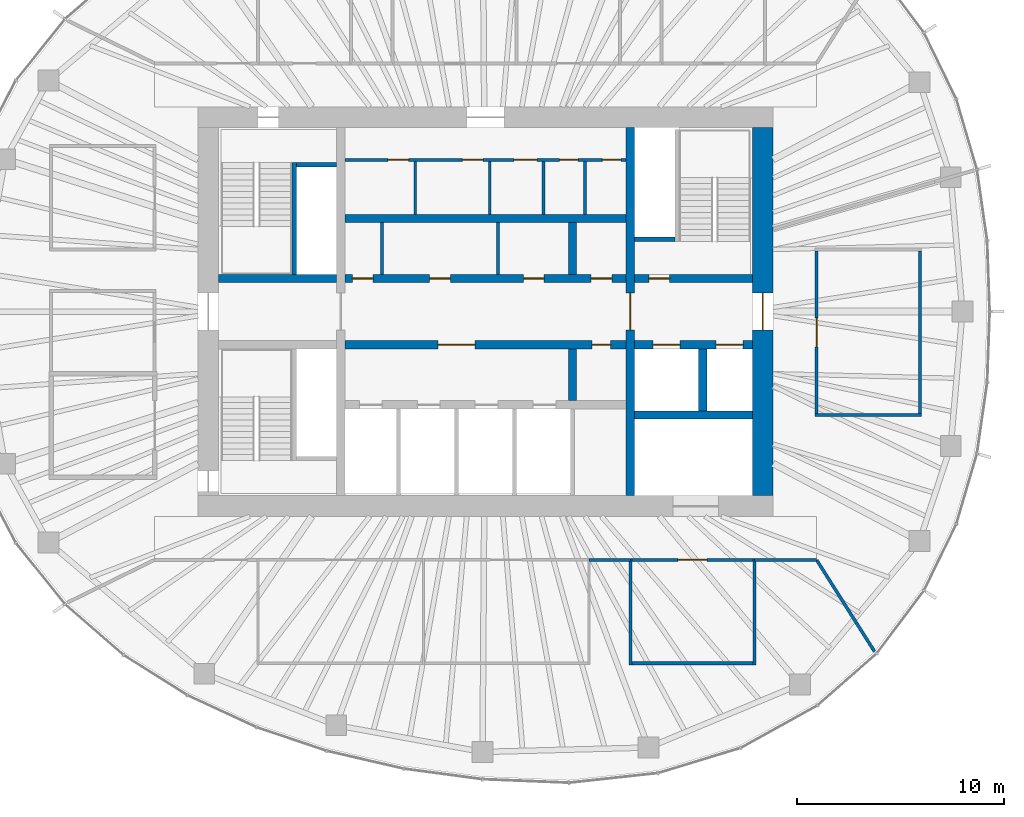
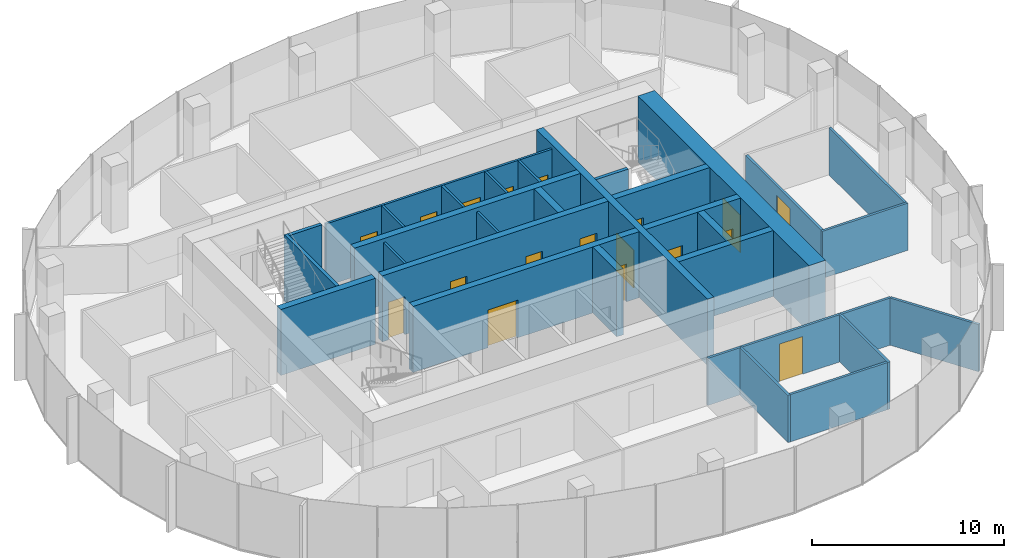
# One storey, part 9 of 11: 32 walls, 18 doors, 18 openings.
"""IFC4 building model written with IfcOpenShell, lengths in metres."""

from ifc_helpers import new_model, si_unit, direction, frame, frame_2d, origin, place, context, subcontext, project, spatial, rectangle, extrude, material, layer, layer_set, type_object, element, fill, save


model = new_model("IFC4")

# Units and contexts
model_context = context("Model", 3, precision=1e-05, world=origin(), true_north=direction((0.0, 1.0)))
body_context = subcontext(model_context, "Body", "Model", "MODEL_VIEW")
ifc_project = project(units=[si_unit("LENGTHUNIT", "METRE"), si_unit("AREAUNIT", "SQUARE_METRE"), si_unit("VOLUMEUNIT", "CUBIC_METRE"), si_unit("PLANEANGLEUNIT", "RADIAN"), si_unit("MASSUNIT", "GRAM", prefix="KILO")], contexts=[model_context])

# Site, building, storey
site_placement = place(None, origin())
site = spatial("IfcSite", under=ifc_project, at=site_placement, CompositionType="ELEMENT")
building_placement = place(site_placement, origin())
building = spatial("IfcBuilding", under=site, at=building_placement, Name="Ghaith Harvest Tower", CompositionType="ELEMENT")
storey_placement = place(building_placement, frame((0.0, 0.0, 313.199951171875)))
storey = spatial("IfcBuildingStorey", under=building, at=storey_placement, Name="L70", CompositionType="ELEMENT", Elevation=313.199951171875)

# Wall, openings, doors
ifc_material_1 = material(Name="Concrete blockwork, fair-faced", Category="masonry")
ifc_layer_1 = layer(ifc_material_1, 0.139892578125)
ifc_layer_set_1 = layer_set([ifc_layer_1], Name="CORE PARTITION 140")
wall_type_1 = type_object("IfcWallType", Name="CORE PARTITION 140", PredefinedType="PARTITIONING", material=ifc_layer_set_1)
wall_1_placement = place(storey_placement, frame((-6.800048828125, 7.330078125, 0.0), z_axis=(0.0, 0.0, 1.0), x_axis=(1.0, 0.0, 0.0)))
wall_1 = element("IfcWall", 1, at=wall_1_placement, inside=storey, type_object=wall_type_1, Name="Core partition L70", PredefinedType="PARTITIONING", context=body_context, shape_type="SweptSolid", body=[
    extrude(rectangle(XDim=13.60009765625, YDim=0.139892578125, at=frame_2d((6.800048828125, 0.0))), origin(), (0.0, 0.0, 1.0), 3.949951171875),
])
opening_1_placement = place(wall_1_placement, frame((2.080078125, 0.0, 0.0)))
opening_1 = element("IfcOpeningElement", 2, at=opening_1_placement, cuts=wall_1, Name="Opening 70-008", PredefinedType="OPENING", context=body_context, shape_type="SweptSolid", body=[
    extrude(rectangle(XDim=1.0, YDim=2.39990234375, at=frame_2d((0.5, 1.199951171875))), frame((0.0, 0.080078125, 0.0), z_axis=(0.0, -1.0, 0.0), x_axis=(1.0, 0.0, 0.0)), (0.0, 0.0, 1.0), 0.159912109375),
])
opening_2_placement = place(wall_1_placement, frame((5.679931640625, 0.0, 0.0)))
opening_2 = element("IfcOpeningElement", 3, at=opening_2_placement, cuts=wall_1, Name="Opening 70-009", PredefinedType="OPENING", context=body_context, shape_type="SweptSolid", body=[
    extrude(rectangle(XDim=1.0, YDim=2.39990234375, at=frame_2d((0.5, 1.199951171875))), frame((0.0, 0.080078125, 0.0), z_axis=(0.0, -1.0, 0.0), x_axis=(1.0, 0.0, 0.0)), (0.0, 0.0, 1.0), 0.159912109375),
])
opening_3_placement = place(wall_1_placement, frame((8.179931640625, 0.0, 0.0)))
opening_3 = element("IfcOpeningElement", 4, at=opening_3_placement, cuts=wall_1, Name="Opening 70-010", PredefinedType="OPENING", context=body_context, shape_type="SweptSolid", body=[
    extrude(rectangle(XDim=1.10009765625, YDim=2.39990234375, at=frame_2d((0.550048828125, 1.199951171875))), frame((0.0, 0.080078125, 0.0), z_axis=(0.0, -1.0, 0.0), x_axis=(1.0, 0.0, 0.0)), (0.0, 0.0, 1.0), 0.159912109375),
])
opening_4_placement = place(wall_1_placement, frame((10.3798828125, 0.0, 0.0)))
opening_4 = element("IfcOpeningElement", 5, at=opening_4_placement, cuts=wall_1, Name="Opening 70-011", PredefinedType="OPENING", context=body_context, shape_type="SweptSolid", body=[
    extrude(rectangle(XDim=0.89990234375, YDim=2.39990234375, at=frame_2d((0.449951171875, 1.199951171875))), frame((0.0, 0.080078125, 0.0), z_axis=(0.0, -1.0, 0.0), x_axis=(1.0, 0.0, 0.0)), (0.0, 0.0, 1.0), 0.159912109375),
])
opening_5_placement = place(wall_1_placement, frame((12.449951171875, 0.0, 0.0)))
opening_5 = element("IfcOpeningElement", 6, at=opening_5_placement, cuts=wall_1, Name="Opening 70-012", PredefinedType="OPENING", context=body_context, shape_type="SweptSolid", body=[
    extrude(rectangle(XDim=0.89990234375, YDim=2.39990234375, at=frame_2d((0.449951171875, 1.199951171875))), frame((0.0, 0.080078125, 0.0), z_axis=(0.0, -1.0, 0.0), x_axis=(1.0, 0.0, 0.0)), (0.0, 0.0, 1.0), 0.159912109375),
])
ifc_material_2 = material(Name="Steel fire door", Category="steel")
door_type_1 = type_object("IfcDoorType", Name="D3 FD90 1000x2400", OperationType="SINGLE_SWING_LEFT", PredefinedType="DOOR", material=ifc_material_2)
door_1_placement = place(opening_1_placement, origin())
door_1 = element("IfcDoor", 7, at=door_1_placement, inside=storey, type_object=door_type_1, Name="Male WC door", OperationType="SINGLE_SWING_LEFT", OverallHeight=2.39990234375, OverallWidth=1.0, PredefinedType="DOOR", context=body_context, shape_type="SweptSolid", body=[
    extrude(rectangle(XDim=1.0, YDim=2.39990234375, at=frame_2d((0.5, 1.199951171875))), frame((0.0, 0.02490234375, 0.0), z_axis=(0.0, -1.0, 0.0), x_axis=(1.0, 0.0, 0.0)), (0.0, 0.0, 1.0), 0.050048828125),
])
fill(opening_1, door_1)
door_2_placement = place(opening_2_placement, origin())
door_2 = element("IfcDoor", 8, at=door_2_placement, inside=storey, type_object=door_type_1, Name="Female WC door", OperationType="SINGLE_SWING_LEFT", OverallHeight=2.39990234375, OverallWidth=1.0, PredefinedType="DOOR", context=body_context, shape_type="SweptSolid", body=[
    extrude(rectangle(XDim=1.0, YDim=2.39990234375, at=frame_2d((0.5, 1.199951171875))), frame((0.0, 0.02490234375, 0.0), z_axis=(0.0, -1.0, 0.0), x_axis=(1.0, 0.0, 0.0)), (0.0, 0.0, 1.0), 0.050048828125),
])
fill(opening_2, door_2)
ifc_material_3 = material(Name="Steel fire door", Category="steel")
door_type_2 = type_object("IfcDoorType", Name="D5 FD90 900x2400", OperationType="SINGLE_SWING_LEFT", PredefinedType="DOOR", material=ifc_material_3)
door_3_placement = place(opening_4_placement, origin())
door_3 = element("IfcDoor", 9, at=door_3_placement, inside=storey, type_object=door_type_2, Name="Store door", OperationType="SINGLE_SWING_RIGHT", OverallHeight=2.39990234375, OverallWidth=0.89990234375, PredefinedType="DOOR", context=body_context, shape_type="SweptSolid", body=[
    extrude(rectangle(XDim=0.89990234375, YDim=2.39990234375, at=frame_2d((0.449951171875, 1.199951171875))), frame((0.0, 0.02490234375, 0.0), z_axis=(0.0, -1.0, 0.0), x_axis=(1.0, 0.0, 0.0)), (0.0, 0.0, 1.0), 0.050048828125),
])
fill(opening_4, door_3)
door_4_placement = place(opening_5_placement, origin())
door_4 = element("IfcDoor", 10, at=door_4_placement, inside=storey, type_object=door_type_2, Name="Cleaner's store door", OperationType="SINGLE_SWING_RIGHT", OverallHeight=2.39990234375, OverallWidth=0.89990234375, PredefinedType="DOOR", context=body_context, shape_type="SweptSolid", body=[
    extrude(rectangle(XDim=0.89990234375, YDim=2.39990234375, at=frame_2d((0.449951171875, 1.199951171875))), frame((0.0, 0.02490234375, 0.0), z_axis=(0.0, -1.0, 0.0), x_axis=(1.0, 0.0, 0.0)), (0.0, 0.0, 1.0), 0.050048828125),
])
fill(opening_5, door_4)
ifc_material_4 = material(Name="Steel fire door", Category="steel")
door_type_3 = type_object("IfcDoorType", Name="D9 FD90 1100x2400", OperationType="SINGLE_SWING_LEFT", PredefinedType="DOOR", material=ifc_material_4)
door_5_placement = place(opening_3_placement, origin())
door_5 = element("IfcDoor", 11, at=door_5_placement, inside=storey, type_object=door_type_3, Name="Accessible WC door", OperationType="SINGLE_SWING_RIGHT", OverallHeight=2.39990234375, OverallWidth=1.10009765625, PredefinedType="DOOR", context=body_context, shape_type="SweptSolid", body=[
    extrude(rectangle(XDim=1.10009765625, YDim=2.39990234375, at=frame_2d((0.550048828125, 1.199951171875))), frame((0.0, 0.02490234375, 0.0), z_axis=(0.0, -1.0, 0.0), x_axis=(1.0, 0.0, 0.0)), (0.0, 0.0, 1.0), 0.050048828125),
])
fill(opening_3, door_5)

# Walls
for number, where, z_axis, x_axis, name in (
    (12, (-3.39990234375, 4.699951171875, 0.0), (0.0, 0.0, 1.0), (0.0, 1.0, 0.0), "Core partition L70"),
    (13, (0.199951171875, 4.699951171875, 0.0), (0.0, 0.0, 1.0), (0.0, 1.0, 0.0), "Core partition L70"),
    (14, (2.800048828125, 4.699951171875, 0.0), (0.0, 0.0, 1.0), (0.0, 1.0, 0.0), "Core partition L70"),
    (15, (4.800048828125, 4.699951171875, 0.0), (0.0, 0.0, 1.0), (0.0, 1.0, 0.0), "Core partition L70"),
):
    element("IfcWall", number, at=place(storey_placement, frame(where, z_axis=z_axis, x_axis=x_axis)), inside=storey, type_object=wall_type_1, Name=name, PredefinedType="PARTITIONING", context=body_context, shape_type="SweptSolid", body=[
        extrude(rectangle(XDim=2.56005859375, YDim=0.139892578125, at=frame_2d((1.280029296875, 0.0))), origin(), (0.0, 0.0, 1.0), 3.949951171875),
    ])
for number, where, z_axis, x_axis, name in (
    (16, (-5.0, 1.800048828125, 0.0), (0.0, 0.0, 1.0), (0.0, 1.0, 0.0), "Core partition L70"),
    (17, (0.60009765625, 1.800048828125, 0.0), (0.0, 0.0, 1.0), (0.0, 1.0, 0.0), "Core partition L70"),
):
    element("IfcWall", number, at=place(storey_placement, frame(where, z_axis=z_axis, x_axis=x_axis)), inside=storey, type_object=wall_type_1, Name=name, PredefinedType="PARTITIONING", context=body_context, shape_type="SweptSolid", body=[
        extrude(rectangle(XDim=2.5, YDim=0.139892578125, at=frame_2d((1.25, 0.0))), origin(), (0.0, 0.0, 1.0), 3.949951171875),
    ])

# Wall, opening, door
ifc_material_5 = material(Name="Concrete C50/60", Category="concrete")
ifc_layer_2 = layer(ifc_material_5, 1.0)
ifc_layer_set_2 = layer_set([ifc_layer_2], Name="CORE WALL CW1000")
wall_type_2 = type_object("IfcWallType", Name="CORE WALL CW1000", PredefinedType="SHEAR", material=ifc_layer_set_2)
wall_2_placement = place(storey_placement, frame((13.39990234375, -8.89990234375, 0.0), z_axis=(0.0, 0.0, 1.0), x_axis=(0.0, 1.0, 0.0)))
wall_2 = element("IfcWall", 18, at=wall_2_placement, inside=storey, type_object=wall_type_2, Name="Core wall E L70", PredefinedType="SHEAR", context=body_context, shape_type="SweptSolid", body=[
    extrude(rectangle(XDim=17.7998046875, YDim=1.0, at=frame_2d((8.89990234375, 0.0))), origin(), (0.0, 0.0, 1.0), 4.199951171875),
])
opening_6_placement = place(wall_2_placement, frame((8.0, 0.0, 0.0)))
opening_6 = element("IfcOpeningElement", 19, at=opening_6_placement, cuts=wall_2, Name="Opening 70-002", PredefinedType="OPENING", context=body_context, shape_type="SweptSolid", body=[
    extrude(rectangle(XDim=1.800048828125, YDim=2.39990234375, at=frame_2d((0.89990234375, 1.199951171875))), frame((0.0, 0.510009765625, 0.0), z_axis=(0.0, -1.0, 0.0), x_axis=(1.0, 0.0, 0.0)), (0.0, 0.0, 1.0), 1.02001953125),
])
ifc_material_6 = material(Name="Steel fire door", Category="steel")
door_type_4 = type_object("IfcDoorType", Name="D4 FD90 PAIR 1800x2400", OperationType="DOUBLE_DOOR_SINGLE_SWING", PredefinedType="DOOR", material=ifc_material_6)
door_6_placement = place(opening_6_placement, origin())
door_6 = element("IfcDoor", 20, at=door_6_placement, inside=storey, type_object=door_type_4, Name="Fire-fighting lobby doors", OperationType="DOUBLE_DOOR_SINGLE_SWING", OverallHeight=2.39990234375, OverallWidth=1.800048828125, PredefinedType="DOOR", context=body_context, shape_type="SweptSolid", body=[
    extrude(rectangle(XDim=1.800048828125, YDim=2.39990234375, at=frame_2d((0.89990234375, 1.199951171875))), frame((0.0, 0.02490234375, 0.0), z_axis=(0.0, -1.0, 0.0), x_axis=(1.0, 0.0, 0.0)), (0.0, 0.0, 1.0), 0.050048828125),
])
fill(opening_6, door_6)

# Walls
ifc_material_7 = material(Name="Gypsum board on steel studs", Category="steel")
ifc_layer_3 = layer(ifc_material_7, 0.14990234375)
ifc_layer_set_3 = layer_set([ifc_layer_3], Name="PARTITION 150")
wall_type_3 = type_object("IfcWallType", Name="PARTITION 150", PredefinedType="PARTITIONING", material=ifc_layer_set_3)
for number, where, z_axis, x_axis, name in (
    (21, (7.0, -11.925048828125, 0.0), (0.0, 0.0, 1.0), (0.0, -1.0, 0.0), "Partition L70 row S3 cross wall 1"),
    (22, (13.0, -11.925048828125, 0.0), (0.0, 0.0, 1.0), (0.0, -1.0, 0.0), "Partition L70 row S3 cross wall 2"),
):
    element("IfcWall", number, at=place(storey_placement, frame(where, z_axis=z_axis, x_axis=x_axis)), inside=storey, type_object=wall_type_3, Name=name, PredefinedType="PARTITIONING", context=body_context, shape_type="SweptSolid", body=[
        extrude(rectangle(XDim=5.14990234375, YDim=0.14990234375, at=frame_2d((2.574951171875, 0.0))), origin(), (0.0, 0.0, 1.0), 3.0),
    ])

# Wall, opening, door
wall_3_placement = place(storey_placement, frame((7.074951171875, -12.0, 0.0), z_axis=(0.0, 0.0, 1.0), x_axis=(1.0, 0.0, 0.0)))
wall_3 = element("IfcWall", 23, at=wall_3_placement, inside=storey, type_object=wall_type_3, Name="Partition L70-05", PredefinedType="PARTITIONING", context=body_context, shape_type="SweptSolid", body=[
    extrude(rectangle(XDim=5.85009765625, YDim=0.14990234375, at=frame_2d((2.925048828125, 0.0))), origin(), (0.0, 0.0, 1.0), 3.0),
])
opening_7_placement = place(wall_3_placement, frame((2.22509765625, 0.0, 0.0)))
opening_7 = element("IfcOpeningElement", 24, at=opening_7_placement, cuts=wall_3, Name="Opening 70-031", PredefinedType="OPENING", context=body_context, shape_type="SweptSolid", body=[
    extrude(rectangle(XDim=1.39990234375, YDim=2.39990234375, at=frame_2d((0.699951171875, 1.199951171875))), frame((0.0, 0.0849609375, 0.0), z_axis=(0.0, -1.0, 0.0), x_axis=(1.0, 0.0, 0.0)), (0.0, 0.0, 1.0), 0.169921875),
])
ifc_material_8 = material(Name="Stainless steel faced door pair", Category="steel")
door_type_5 = type_object("IfcDoorType", Name="D14 HYGIENE PAIR 1400x2400", OperationType="DOUBLE_DOOR_DOUBLE_SWING", PredefinedType="DOOR", material=ifc_material_8)
door_7_placement = place(opening_7_placement, origin())
door_7 = element("IfcDoor", 25, at=door_7_placement, inside=storey, type_object=door_type_5, Name="Grading room door", OperationType="DOUBLE_DOOR_DOUBLE_SWING", OverallHeight=2.39990234375, OverallWidth=1.39990234375, PredefinedType="DOOR", context=body_context, shape_type="SweptSolid", body=[
    extrude(rectangle(XDim=1.39990234375, YDim=2.39990234375, at=frame_2d((0.699951171875, 1.199951171875))), frame((0.0, 0.02490234375, 0.0), z_axis=(0.0, -1.0, 0.0), x_axis=(1.0, 0.0, 0.0)), (0.0, 0.0, 1.0), 0.050048828125),
])
fill(opening_7, door_7)

# Walls
wall_4_placement = place(storey_placement, frame((7.074951171875, -17.0, 0.0), z_axis=(0.0, 0.0, 1.0), x_axis=(1.0, 0.0, 0.0)))
element("IfcWall", 26, at=wall_4_placement, inside=storey, type_object=wall_type_3, Name="Partition L70-05", PredefinedType="PARTITIONING", context=body_context, shape_type="SweptSolid", body=[
    extrude(rectangle(XDim=5.85009765625, YDim=0.14990234375, at=frame_2d((2.925048828125, 0.0))), origin(), (0.0, 0.0, 1.0), 3.0),
])
wall_5_placement = place(storey_placement, frame((15.925048828125, -5.0, 0.0), z_axis=(0.0, 0.0, 1.0), x_axis=(1.0, 0.0, 0.0)))
element("IfcWall", 27, at=wall_5_placement, inside=storey, type_object=wall_type_3, Name="Partition L70 row E5 cross wall 1", PredefinedType="PARTITIONING", context=body_context, shape_type="SweptSolid", body=[
    extrude(rectangle(XDim=5.14990234375, YDim=0.14990234375, at=frame_2d((2.574951171875, 0.0))), origin(), (0.0, 0.0, 1.0), 3.0),
])

# Wall, opening, door
wall_6_placement = place(storey_placement, frame((16.0, -4.925048828125, 0.0), z_axis=(0.0, 0.0, 1.0), x_axis=(0.0, 1.0, 0.0)))
wall_6 = element("IfcWall", 28, at=wall_6_placement, inside=storey, type_object=wall_type_3, Name="Partition L70-08", PredefinedType="PARTITIONING", context=body_context, shape_type="SweptSolid", body=[
    extrude(rectangle(XDim=7.85009765625, YDim=0.14990234375, at=frame_2d((3.925048828125, 0.0))), origin(), (0.0, 0.0, 1.0), 3.0),
])
opening_8_placement = place(wall_6_placement, frame((3.22509765625, 0.0, 0.0)))
opening_8 = element("IfcOpeningElement", 29, at=opening_8_placement, cuts=wall_6, Name="Opening 70-034", PredefinedType="OPENING", context=body_context, shape_type="SweptSolid", body=[
    extrude(rectangle(XDim=1.39990234375, YDim=2.39990234375, at=frame_2d((0.699951171875, 1.199951171875))), frame((0.0, 0.0849609375, 0.0), z_axis=(0.0, -1.0, 0.0), x_axis=(1.0, 0.0, 0.0)), (0.0, 0.0, 1.0), 0.169921875),
])
door_8_placement = place(opening_8_placement, origin())
door_8 = element("IfcDoor", 30, at=door_8_placement, inside=storey, type_object=door_type_5, Name="Packing room door", OperationType="DOUBLE_DOOR_DOUBLE_SWING", OverallHeight=2.39990234375, OverallWidth=1.39990234375, PredefinedType="DOOR", context=body_context, shape_type="SweptSolid", body=[
    extrude(rectangle(XDim=1.39990234375, YDim=2.39990234375, at=frame_2d((0.699951171875, 1.199951171875))), frame((0.0, 0.02490234375, 0.0), z_axis=(0.0, -1.0, 0.0), x_axis=(1.0, 0.0, 0.0)), (0.0, 0.0, 1.0), 0.050048828125),
])
fill(opening_8, door_8)

# Walls
wall_7_placement = place(storey_placement, frame((21.0, -4.925048828125, 0.0), z_axis=(0.0, 0.0, 1.0), x_axis=(0.0, 1.0, 0.0)))
element("IfcWall", 31, at=wall_7_placement, inside=storey, type_object=wall_type_3, Name="Partition L70-08", PredefinedType="PARTITIONING", context=body_context, shape_type="SweptSolid", body=[
    extrude(rectangle(XDim=7.85009765625, YDim=0.14990234375, at=frame_2d((3.925048828125, 0.0))), origin(), (0.0, 0.0, 1.0), 3.0),
])
wall_8_placement = place(storey_placement, frame((16.0107421875, -12.016845703125, 0.0), z_axis=(0.0, 0.0, 1.0), x_axis=(0.53415837449, -0.845384427916, 0.0)))
element("IfcWall", 32, at=wall_8_placement, inside=storey, type_object=wall_type_3, Name="Partition L70 zone division", PredefinedType="PARTITIONING", context=body_context, shape_type="SweptSolid", body=[
    extrude(rectangle(XDim=5.220458984375, YDim=0.14990234375, at=frame_2d((2.6103515625, 0.0))), origin(), (0.0, 0.0, 1.0), 3.0),
])
wall_9_placement = place(storey_placement, frame((5.0, -12.0, 0.0), z_axis=(0.0, 0.0, 1.0), x_axis=(1.0, 0.0, 0.0)))
element("IfcWall", 33, at=wall_9_placement, inside=storey, type_object=wall_type_3, Name="Partition L70 zone enclosure", PredefinedType="PARTITIONING", context=body_context, shape_type="SweptSolid", body=[
    extrude(rectangle(XDim=2.0, YDim=0.14990234375, at=frame_2d((1.0, 0.0))), origin(), (0.0, 0.0, 1.0), 3.0),
])
wall_10_placement = place(storey_placement, frame((13.0, -12.0, 0.0), z_axis=(0.0, 0.0, 1.0), x_axis=(1.0, 0.0, 0.0)))
element("IfcWall", 34, at=wall_10_placement, inside=storey, type_object=wall_type_3, Name="Partition L70 zone enclosure", PredefinedType="PARTITIONING", context=body_context, shape_type="SweptSolid", body=[
    extrude(rectangle(XDim=3.0, YDim=0.14990234375, at=frame_2d((1.5, 0.0))), origin(), (0.0, 0.0, 1.0), 3.0),
])

# Wall, opening, door
ifc_material_9 = material(Name="Concrete C70/85", Category="concrete")
ifc_layer_4 = layer(ifc_material_9, 0.39990234375)
ifc_layer_set_4 = layer_set([ifc_layer_4], Name="SHAFT WALL 400")
wall_type_4 = type_object("IfcWallType", Name="SHAFT WALL 400", PredefinedType="SHEAR", material=ifc_layer_set_4)
wall_11_placement = place(storey_placement, frame((7.0, -8.89990234375, 0.0), z_axis=(0.0, 0.0, 1.0), x_axis=(0.0, 1.0, 0.0)))
wall_11 = element("IfcWall", 35, at=wall_11_placement, inside=storey, type_object=wall_type_4, Name="Shaft wall W7E L70", PredefinedType="SHEAR", context=body_context, shape_type="SweptSolid", body=[
    extrude(rectangle(XDim=17.7998046875, YDim=0.39990234375, at=frame_2d((8.89990234375, 0.0))), origin(), (0.0, 0.0, 1.0), 4.199951171875),
])
opening_9_placement = place(wall_11_placement, frame((8.0, 0.0, 0.0)))
opening_9 = element("IfcOpeningElement", 36, at=opening_9_placement, cuts=wall_11, Name="Opening 70-004", PredefinedType="OPENING", context=body_context, shape_type="SweptSolid", body=[
    extrude(rectangle(XDim=1.800048828125, YDim=2.39990234375, at=frame_2d((0.89990234375, 1.199951171875))), frame((0.0, 0.2099609375, 0.0), z_axis=(0.0, -1.0, 0.0), x_axis=(1.0, 0.0, 0.0)), (0.0, 0.0, 1.0), 0.419921875),
])
door_9_placement = place(opening_9_placement, origin())
door_9 = element("IfcDoor", 37, at=door_9_placement, inside=storey, type_object=door_type_4, Name="Lift lobby doors, east", OperationType="DOUBLE_DOOR_SINGLE_SWING", OverallHeight=2.39990234375, OverallWidth=1.800048828125, PredefinedType="DOOR", context=body_context, shape_type="SweptSolid", body=[
    extrude(rectangle(XDim=1.800048828125, YDim=2.39990234375, at=frame_2d((0.89990234375, 1.199951171875))), frame((0.0, 0.02490234375, 0.0), z_axis=(0.0, -1.0, 0.0), x_axis=(1.0, 0.0, 0.0)), (0.0, 0.0, 1.0), 0.050048828125),
])
fill(opening_9, door_9)

# Wall, openings, doors
wall_12_placement = place(storey_placement, frame((-6.800048828125, 1.60009765625, 0.0), z_axis=(0.0, 0.0, 1.0), x_axis=(1.0, 0.0, 0.0)))
wall_12 = element("IfcWall", 38, at=wall_12_placement, inside=storey, type_object=wall_type_4, Name="Shaft wall LN L70", PredefinedType="SHEAR", context=body_context, shape_type="SweptSolid", body=[
    extrude(rectangle(XDim=13.60009765625, YDim=0.39990234375, at=frame_2d((6.800048828125, 0.0))), origin(), (0.0, 0.0, 1.0), 4.199951171875),
])
opening_10_placement = place(wall_12_placement, frame((0.364990234375, 0.0, 0.0)))
opening_10 = element("IfcOpeningElement", 39, at=opening_10_placement, cuts=wall_12, Name="Opening 70-013", PredefinedType="OPENING", context=body_context, shape_type="SweptSolid", body=[
    extrude(rectangle(XDim=1.0, YDim=2.39990234375, at=frame_2d((0.5, 1.199951171875))), frame((0.0, 0.2099609375, 0.0), z_axis=(0.0, -1.0, 0.0), x_axis=(1.0, 0.0, 0.0)), (0.0, 0.0, 1.0), 0.419921875),
])
opening_11_placement = place(wall_12_placement, frame((4.10009765625, 0.0, 0.0)))
opening_11 = element("IfcOpeningElement", 40, at=opening_11_placement, cuts=wall_12, Name="Opening 70-014", PredefinedType="OPENING", context=body_context, shape_type="SweptSolid", body=[
    extrude(rectangle(XDim=1.0, YDim=2.39990234375, at=frame_2d((0.5, 1.199951171875))), frame((0.0, 0.2099609375, 0.0), z_axis=(0.0, -1.0, 0.0), x_axis=(1.0, 0.0, 0.0)), (0.0, 0.0, 1.0), 0.419921875),
])
opening_12_placement = place(wall_12_placement, frame((8.635009765625, 0.0, 0.0)))
opening_12 = element("IfcOpeningElement", 41, at=opening_12_placement, cuts=wall_12, Name="Opening 70-015", PredefinedType="OPENING", context=body_context, shape_type="SweptSolid", body=[
    extrude(rectangle(XDim=1.0, YDim=2.39990234375, at=frame_2d((0.5, 1.199951171875))), frame((0.0, 0.2099609375, 0.0), z_axis=(0.0, -1.0, 0.0), x_axis=(1.0, 0.0, 0.0)), (0.0, 0.0, 1.0), 0.419921875),
])
opening_13_placement = place(wall_12_placement, frame((11.89990234375, 0.0, 0.0)))
opening_13 = element("IfcOpeningElement", 42, at=opening_13_placement, cuts=wall_12, Name="Opening 70-016", PredefinedType="OPENING", context=body_context, shape_type="SweptSolid", body=[
    extrude(rectangle(XDim=1.0, YDim=2.39990234375, at=frame_2d((0.5, 1.199951171875))), frame((0.0, 0.2099609375, 0.0), z_axis=(0.0, -1.0, 0.0), x_axis=(1.0, 0.0, 0.0)), (0.0, 0.0, 1.0), 0.419921875),
])
door_10_placement = place(opening_10_placement, origin())
door_10 = element("IfcDoor", 43, at=door_10_placement, inside=storey, type_object=door_type_1, Name="Electrical room door", OperationType="SINGLE_SWING_LEFT", OverallHeight=2.39990234375, OverallWidth=1.0, PredefinedType="DOOR", context=body_context, shape_type="SweptSolid", body=[
    extrude(rectangle(XDim=1.0, YDim=2.39990234375, at=frame_2d((0.5, 1.199951171875))), frame((0.0, 0.02490234375, 0.0), z_axis=(0.0, -1.0, 0.0), x_axis=(1.0, 0.0, 0.0)), (0.0, 0.0, 1.0), 0.050048828125),
])
fill(opening_10, door_10)
door_11_placement = place(opening_11_placement, origin())
door_11 = element("IfcDoor", 44, at=door_11_placement, inside=storey, type_object=door_type_1, Name="Security room door", OperationType="SINGLE_SWING_LEFT", OverallHeight=2.39990234375, OverallWidth=1.0, PredefinedType="DOOR", context=body_context, shape_type="SweptSolid", body=[
    extrude(rectangle(XDim=1.0, YDim=2.39990234375, at=frame_2d((0.5, 1.199951171875))), frame((0.0, 0.02490234375, 0.0), z_axis=(0.0, -1.0, 0.0), x_axis=(1.0, 0.0, 0.0)), (0.0, 0.0, 1.0), 0.050048828125),
])
fill(opening_11, door_11)
door_12_placement = place(opening_12_placement, origin())
door_12 = element("IfcDoor", 45, at=door_12_placement, inside=storey, type_object=door_type_1, Name="Communications equipment room door", OperationType="SINGLE_SWING_RIGHT", OverallHeight=2.39990234375, OverallWidth=1.0, PredefinedType="DOOR", context=body_context, shape_type="SweptSolid", body=[
    extrude(rectangle(XDim=1.0, YDim=2.39990234375, at=frame_2d((0.5, 1.199951171875))), frame((0.0, 0.02490234375, 0.0), z_axis=(0.0, -1.0, 0.0), x_axis=(1.0, 0.0, 0.0)), (0.0, 0.0, 1.0), 0.050048828125),
])
fill(opening_12, door_12)
door_13_placement = place(opening_13_placement, origin())
door_13 = element("IfcDoor", 46, at=door_13_placement, inside=storey, type_object=door_type_1, Name="Tea point door", OperationType="SINGLE_SWING_RIGHT", OverallHeight=2.39990234375, OverallWidth=1.0, PredefinedType="DOOR", context=body_context, shape_type="SweptSolid", body=[
    extrude(rectangle(XDim=1.0, YDim=2.39990234375, at=frame_2d((0.5, 1.199951171875))), frame((0.0, 0.02490234375, 0.0), z_axis=(0.0, -1.0, 0.0), x_axis=(1.0, 0.0, 0.0)), (0.0, 0.0, 1.0), 0.050048828125),
])
fill(opening_13, door_13)

wall_13_placement = place(storey_placement, frame((-6.800048828125, -1.60009765625, 0.0), z_axis=(0.0, 0.0, 1.0), x_axis=(1.0, 0.0, 0.0)))
wall_13 = element("IfcWall", 47, at=wall_13_placement, inside=storey, type_object=wall_type_4, Name="Shaft wall LS L70", PredefinedType="SHEAR", context=body_context, shape_type="SweptSolid", body=[
    extrude(rectangle(XDim=13.60009765625, YDim=0.39990234375, at=frame_2d((6.800048828125, 0.0))), origin(), (0.0, 0.0, 1.0), 4.199951171875),
])
opening_14_placement = place(wall_13_placement, frame((11.949951171875, 0.0, 0.0)))
opening_14 = element("IfcOpeningElement", 48, at=opening_14_placement, cuts=wall_13, Name="Opening 70-017", PredefinedType="OPENING", context=body_context, shape_type="SweptSolid", body=[
    extrude(rectangle(XDim=0.89990234375, YDim=2.39990234375, at=frame_2d((0.449951171875, 1.199951171875))), frame((0.0, 0.2099609375, 0.0), z_axis=(0.0, -1.0, 0.0), x_axis=(1.0, 0.0, 0.0)), (0.0, 0.0, 1.0), 0.419921875),
])
opening_15_placement = place(wall_13_placement, frame((4.5, 0.0, 0.0)))
opening_15 = element("IfcOpeningElement", 49, at=opening_15_placement, cuts=wall_13, Name="Opening 70-018", PredefinedType="OPENING", context=body_context, shape_type="SweptSolid", body=[
    extrude(rectangle(XDim=1.800048828125, YDim=2.39990234375, at=frame_2d((0.89990234375, 1.199951171875))), frame((0.0, 0.2099609375, 0.0), z_axis=(0.0, -1.0, 0.0), x_axis=(1.0, 0.0, 0.0)), (0.0, 0.0, 1.0), 0.419921875),
])
door_14_placement = place(opening_15_placement, origin())
door_14 = element("IfcDoor", 50, at=door_14_placement, inside=storey, type_object=door_type_4, Name="Lift lobby doors, upper-zone bank", OperationType="DOUBLE_DOOR_SINGLE_SWING", OverallHeight=2.39990234375, OverallWidth=1.800048828125, PredefinedType="DOOR", context=body_context, shape_type="SweptSolid", body=[
    extrude(rectangle(XDim=1.800048828125, YDim=2.39990234375, at=frame_2d((0.89990234375, 1.199951171875))), frame((0.0, 0.02490234375, 0.0), z_axis=(0.0, -1.0, 0.0), x_axis=(1.0, 0.0, 0.0)), (0.0, 0.0, 1.0), 0.050048828125),
])
fill(opening_15, door_14)
door_15_placement = place(opening_14_placement, origin())
door_15 = element("IfcDoor", 51, at=door_15_placement, inside=storey, type_object=door_type_2, Name="Lobby store door", OperationType="SINGLE_SWING_RIGHT", OverallHeight=2.39990234375, OverallWidth=0.89990234375, PredefinedType="DOOR", context=body_context, shape_type="SweptSolid", body=[
    extrude(rectangle(XDim=0.89990234375, YDim=2.39990234375, at=frame_2d((0.449951171875, 1.199951171875))), frame((0.0, 0.02490234375, 0.0), z_axis=(0.0, -1.0, 0.0), x_axis=(1.0, 0.0, 0.0)), (0.0, 0.0, 1.0), 0.050048828125),
])
fill(opening_14, door_15)

# Walls
wall_14_placement = place(storey_placement, frame((-6.800048828125, 4.5, 0.0), z_axis=(0.0, 0.0, 1.0), x_axis=(1.0, 0.0, 0.0)))
element("IfcWall", 52, at=wall_14_placement, inside=storey, type_object=wall_type_4, Name="Shaft wall BN L70", PredefinedType="SHEAR", context=body_context, shape_type="SweptSolid", body=[
    extrude(rectangle(XDim=13.60009765625, YDim=0.39990234375, at=frame_2d((6.800048828125, 0.0))), origin(), (0.0, 0.0, 1.0), 4.199951171875),
])
wall_15_placement = place(storey_placement, frame((-12.89990234375, 1.60009765625, 0.0), z_axis=(0.0, 0.0, 1.0), x_axis=(1.0, 0.0, 0.0)))
element("IfcWall", 53, at=wall_15_placement, inside=storey, type_object=wall_type_4, Name="Shaft wall WN L70", PredefinedType="SHEAR", context=body_context, shape_type="SweptSolid", body=[
    extrude(rectangle(XDim=5.699951171875, YDim=0.39990234375, at=frame_2d((2.85009765625, 0.0))), origin(), (0.0, 0.0, 1.0), 4.199951171875),
])

# Wall, opening, door
wall_16_placement = place(storey_placement, frame((7.199951171875, 1.60009765625, 0.0), z_axis=(0.0, 0.0, 1.0), x_axis=(1.0, 0.0, 0.0)))
wall_16 = element("IfcWall", 54, at=wall_16_placement, inside=storey, type_object=wall_type_4, Name="Shaft wall EN L70", PredefinedType="SHEAR", context=body_context, shape_type="SweptSolid", body=[
    extrude(rectangle(XDim=5.699951171875, YDim=0.39990234375, at=frame_2d((2.85009765625, 0.0))), origin(), (0.0, 0.0, 1.0), 4.199951171875),
])
opening_16_placement = place(wall_16_placement, frame((0.699951171875, 0.0, 0.0)))
opening_16 = element("IfcOpeningElement", 55, at=opening_16_placement, cuts=wall_16, Name="Opening 70-007", PredefinedType="OPENING", context=body_context, shape_type="SweptSolid", body=[
    extrude(rectangle(XDim=1.0, YDim=2.39990234375, at=frame_2d((0.5, 1.199951171875))), frame((0.0, 0.2099609375, 0.0), z_axis=(0.0, -1.0, 0.0), x_axis=(1.0, 0.0, 0.0)), (0.0, 0.0, 1.0), 0.419921875),
])
door_16_placement = place(opening_16_placement, origin())
door_16 = element("IfcDoor", 56, at=door_16_placement, inside=storey, type_object=door_type_1, Name="Stair ST2 door", OperationType="SINGLE_SWING_LEFT", OverallHeight=2.39990234375, OverallWidth=1.0, PredefinedType="DOOR", context=body_context, shape_type="SweptSolid", body=[
    extrude(rectangle(XDim=1.0, YDim=2.39990234375, at=frame_2d((0.5, 1.199951171875))), frame((0.0, 0.02490234375, 0.0), z_axis=(0.0, -1.0, 0.0), x_axis=(1.0, 0.0, 0.0)), (0.0, 0.0, 1.0), 0.050048828125),
])
fill(opening_16, door_16)

# Wall, openings, doors
wall_17_placement = place(storey_placement, frame((7.199951171875, -1.60009765625, 0.0), z_axis=(0.0, 0.0, 1.0), x_axis=(1.0, 0.0, 0.0)))
wall_17 = element("IfcWall", 57, at=wall_17_placement, inside=storey, type_object=wall_type_4, Name="Shaft wall ES L70", PredefinedType="SHEAR", context=body_context, shape_type="SweptSolid", body=[
    extrude(rectangle(XDim=5.699951171875, YDim=0.39990234375, at=frame_2d((2.85009765625, 0.0))), origin(), (0.0, 0.0, 1.0), 4.199951171875),
])
opening_17_placement = place(wall_17_placement, frame((0.89990234375, 0.0, 0.0)))
opening_17 = element("IfcOpeningElement", 58, at=opening_17_placement, cuts=wall_17, Name="Opening 70-024", PredefinedType="OPENING", context=body_context, shape_type="SweptSolid", body=[
    extrude(rectangle(XDim=1.300048828125, YDim=2.39990234375, at=frame_2d((0.64990234375, 1.199951171875))), frame((0.0, 0.2099609375, 0.0), z_axis=(0.0, -1.0, 0.0), x_axis=(1.0, 0.0, 0.0)), (0.0, 0.0, 1.0), 0.419921875),
])
opening_18_placement = place(wall_17_placement, frame((3.949951171875, 0.0, 0.0)))
opening_18 = element("IfcOpeningElement", 59, at=opening_18_placement, cuts=wall_17, Name="Opening 70-025", PredefinedType="OPENING", context=body_context, shape_type="SweptSolid", body=[
    extrude(rectangle(XDim=1.300048828125, YDim=2.39990234375, at=frame_2d((0.64990234375, 1.199951171875))), frame((0.0, 0.2099609375, 0.0), z_axis=(0.0, -1.0, 0.0), x_axis=(1.0, 0.0, 0.0)), (0.0, 0.0, 1.0), 0.419921875),
])
ifc_material_10 = material(Name="Steel fire door", Category="steel")
door_type_6 = type_object("IfcDoorType", Name="LD2 LANDING 1300x2400", OperationType="DOUBLE_DOOR_SLIDING", PredefinedType="DOOR", material=ifc_material_10)
door_17_placement = place(opening_17_placement, origin())
door_17 = element("IfcDoor", 60, at=door_17_placement, inside=storey, type_object=door_type_6, Name="Landing door, fire service lift FL1", OperationType="DOUBLE_DOOR_SLIDING", OverallHeight=2.39990234375, OverallWidth=1.300048828125, PredefinedType="DOOR", context=body_context, shape_type="SweptSolid", body=[
    extrude(rectangle(XDim=1.300048828125, YDim=2.39990234375, at=frame_2d((0.64990234375, 1.199951171875))), frame((0.0, 0.02490234375, 0.0), z_axis=(0.0, -1.0, 0.0), x_axis=(1.0, 0.0, 0.0)), (0.0, 0.0, 1.0), 0.050048828125),
])
fill(opening_17, door_17)
door_18_placement = place(opening_18_placement, origin())
door_18 = element("IfcDoor", 61, at=door_18_placement, inside=storey, type_object=door_type_6, Name="Landing door, fire service lift FL2", OperationType="DOUBLE_DOOR_SLIDING", OverallHeight=2.39990234375, OverallWidth=1.300048828125, PredefinedType="DOOR", context=body_context, shape_type="SweptSolid", body=[
    extrude(rectangle(XDim=1.300048828125, YDim=2.39990234375, at=frame_2d((0.64990234375, 1.199951171875))), frame((0.0, 0.02490234375, 0.0), z_axis=(0.0, -1.0, 0.0), x_axis=(1.0, 0.0, 0.0)), (0.0, 0.0, 1.0), 0.050048828125),
])
fill(opening_18, door_18)

# Walls
wall_18_placement = place(storey_placement, frame((10.5, -4.800048828125, 0.0), z_axis=(0.0, 0.0, 1.0), x_axis=(0.0, 1.0, 0.0)))
element("IfcWall", 62, at=wall_18_placement, inside=storey, type_object=wall_type_4, Name="Shaft wall FLD L70", PredefinedType="SHEAR", context=body_context, shape_type="SweptSolid", body=[
    extrude(rectangle(XDim=3.0, YDim=0.39990234375, at=frame_2d((1.5, 0.0))), origin(), (0.0, 0.0, 1.0), 4.199951171875),
])
wall_19_placement = place(storey_placement, frame((7.199951171875, -5.0, 0.0), z_axis=(0.0, 0.0, 1.0), x_axis=(1.0, 0.0, 0.0)))
element("IfcWall", 63, at=wall_19_placement, inside=storey, type_object=wall_type_4, Name="Shaft wall FLB L70", PredefinedType="SHEAR", context=body_context, shape_type="SweptSolid", body=[
    extrude(rectangle(XDim=5.699951171875, YDim=0.39990234375, at=frame_2d((2.85009765625, 0.0))), origin(), (0.0, 0.0, 1.0), 4.199951171875),
])
for number, where, z_axis, x_axis, name in (
    (64, (4.199951171875, 1.800048828125, 0.0), (0.0, 0.0, 1.0), (0.0, 1.0, 0.0), "Shaft wall DN4 L70"),
    (65, (4.199951171875, -4.300048828125, 0.0), (0.0, 0.0, 1.0), (0.0, 1.0, 0.0), "Shaft wall DS4 L70"),
):
    element("IfcWall", number, at=place(storey_placement, frame(where, z_axis=z_axis, x_axis=x_axis)), inside=storey, type_object=wall_type_4, Name=name, PredefinedType="SHEAR", context=body_context, shape_type="SweptSolid", body=[
        extrude(rectangle(XDim=2.5, YDim=0.39990234375, at=frame_2d((1.25, 0.0))), origin(), (0.0, 0.0, 1.0), 4.199951171875),
    ])
ifc_material_11 = material(Name="Concrete C40/50", Category="concrete")
ifc_layer_5 = layer(ifc_material_11, 0.199951171875)
ifc_layer_set_5 = layer_set([ifc_layer_5], Name="STAIR SPINE WALL RC200")
wall_type_5 = type_object("IfcWallType", Name="STAIR SPINE WALL RC200", PredefinedType="SOLIDWALL", material=ifc_layer_set_5)
wall_20_placement = place(storey_placement, frame((-9.25, 7.199951171875, 0.0), z_axis=(0.0, 0.0, 1.0), x_axis=(0.0, -1.0, 0.0)))
element("IfcWall", 66, at=wall_20_placement, inside=storey, type_object=wall_type_5, Name="Stair ST1 spine wall L70", PredefinedType="SOLIDWALL", context=body_context, shape_type="SweptSolid", body=[
    extrude(rectangle(XDim=5.39990234375, YDim=0.199951171875, at=frame_2d((2.699951171875, 0.0))), origin(), (0.0, 0.0, 1.0), 4.199951171875),
])
for number, where, z_axis, x_axis, name in (
    (67, (-9.14990234375, 7.10009765625, 0.0), (0.0, 0.0, 1.0), (1.0, 0.0, 0.0), "Stair ST1 spine wall return L70"),
    (68, (9.14990234375, 3.5, 0.0), (0.0, 0.0, 1.0), (-1.0, 0.0, 0.0), "Stair ST2 spine wall return L70"),
):
    element("IfcWall", number, at=place(storey_placement, frame(where, z_axis=z_axis, x_axis=x_axis)), inside=storey, type_object=wall_type_5, Name=name, PredefinedType="SOLIDWALL", context=body_context, shape_type="SweptSolid", body=[
        extrude(rectangle(XDim=1.949951171875, YDim=0.199951171875, at=frame_2d((0.97509765625, 0.0))), origin(), (0.0, 0.0, 1.0), 4.199951171875),
    ])

save(model, "model.ifc")
